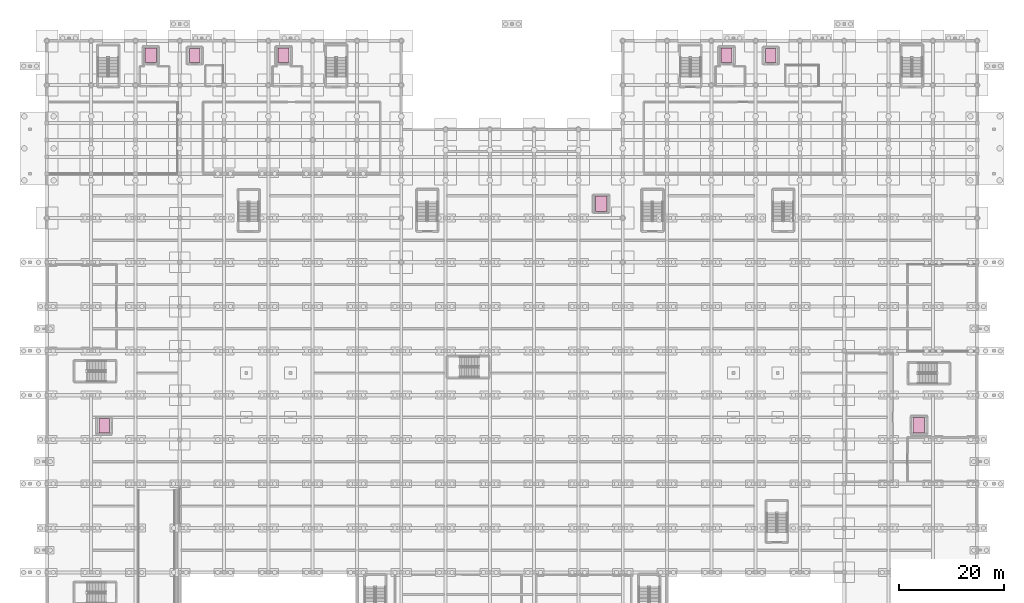
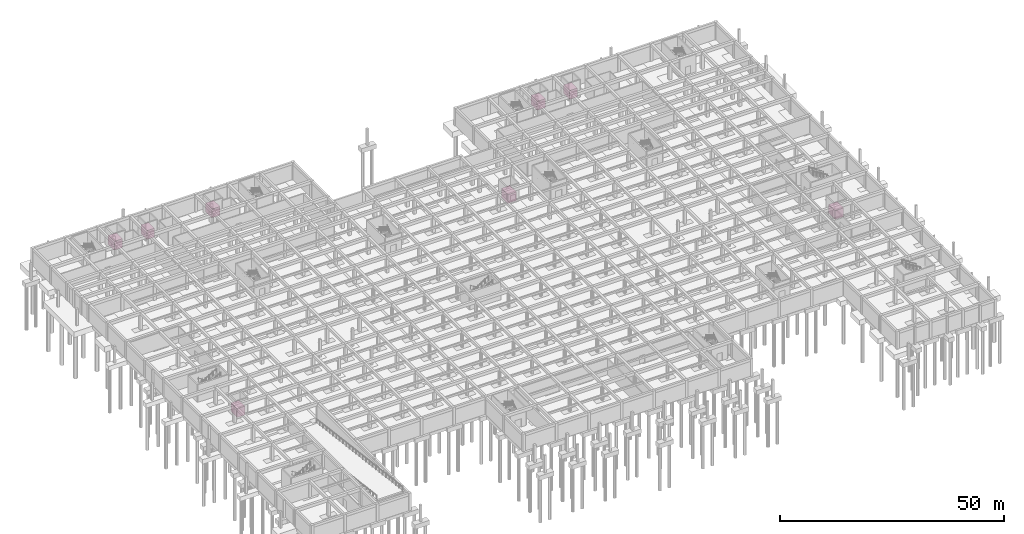
# One storey, part 51 of 51: 8 transport elements.
"""IFC4 building model written with IfcOpenShell, lengths in metres."""

import ifcopenshell
import ifcopenshell.guid

model = None  # the IFC model being written
_history = None  # IfcOwnerHistory: only IFC2X3 demands one
_inside = {}  # id of a spatial element -> (the spatial element, [elements in it])
_under = {}  # id of a project, library or spatial element -> (it, [spatial elements below it])
_declared = {}  # id of a project -> (the project, [libraries it declares])
_typed = {}  # id of a type object -> (the type object, [elements of that type])
_made_of = {}  # id of a material, layer set ... -> (it, [elements and type objects made of it])


def new_model(schema):
    """Start an empty IFC model of exactly this schema.

    Asked for "IFC4X3", IfcOpenShell would pick the latest addendum, in which some entities
    have other attributes; the version numbers below select the first issue.
    IFC2X3 requires an IfcOwnerHistory on every rooted entity: one is made here for all.
    """
    global model, _history
    if schema == "IFC4X3":
        model = ifcopenshell.file(schema_version=(4, 3, 0, 0))
    else:
        model = ifcopenshell.file(schema=schema)
    _inside.clear()
    _under.clear()
    _declared.clear()
    _typed.clear()
    _made_of.clear()
    _history = None
    if model.schema == "IFC2X3":
        org = make("IfcOrganization", Name="unknown")
        user = make(
            "IfcPersonAndOrganization",
            ThePerson=make("IfcPerson", FamilyName="unknown"),
            TheOrganization=org,
        )
        app = make(
            "IfcApplication",
            ApplicationDeveloper=org,
            Version="unknown",
            ApplicationFullName="unknown",
            ApplicationIdentifier="unknown",
        )
        _history = make(
            "IfcOwnerHistory",
            OwningUser=user,
            OwningApplication=app,
            ChangeAction="ADDED",
            CreationDate=0,
        )
    return model


def make(cls, **values):
    """One entity of the class cls with the attributes given. An attribute that is None is left unset."""
    return model.create_entity(
        cls, **{name: value for name, value in values.items() if value is not None}
    )


def rooted(cls, **values):
    """An entity with a GlobalId (a new one), such as an element, a storey or a relation."""
    return make(cls, GlobalId=ifcopenshell.guid.new(), OwnerHistory=_history, **values)


def si_unit(unit_type, name, prefix=None):
    """IfcSIUnit, for example si_unit("LENGTHUNIT", "METRE", prefix="MILLI")."""
    return make("IfcSIUnit", UnitType=unit_type, Prefix=prefix, Name=name)


def assignment(units):
    """IfcUnitAssignment: the units of a project."""
    return None if units is None else make("IfcUnitAssignment", Units=units)


def point(xyz):
    """IfcCartesianPoint."""
    return None if xyz is None else make("IfcCartesianPoint", Coordinates=xyz)


def direction(xyz):
    """IfcDirection."""
    return None if xyz is None else make("IfcDirection", DirectionRatios=xyz)


def frame(location, z_axis=None, x_axis=None):
    """IfcAxis2Placement3D, a coordinate frame: its origin and axes. An axis left out is left unset."""
    return make(
        "IfcAxis2Placement3D",
        Location=point(location),
        Axis=direction(z_axis),
        RefDirection=direction(x_axis),
    )


def frame_2d(location, x_axis=None):
    """IfcAxis2Placement2D, a coordinate frame in the plane: its origin and x axis."""
    return make(
        "IfcAxis2Placement2D", Location=point(location), RefDirection=direction(x_axis)
    )


def origin():
    """The frame at (0, 0, 0) with its axes left unset."""
    return frame((0.0, 0.0, 0.0))


def origin_2d():
    """The frame at (0, 0) in the plane with its x axis left unset."""
    return frame_2d((0.0, 0.0))


def place(relative_to, where):
    """IfcLocalPlacement: puts the frame where relative to a parent placement (None: the world)."""
    return make(
        "IfcLocalPlacement", PlacementRelTo=relative_to, RelativePlacement=where
    )


def context(
    kind, dimensions, precision=None, world=None, true_north=None, identifier=None
):
    """IfcGeometricRepresentationContext, for example the 3D "Model" context."""
    return make(
        "IfcGeometricRepresentationContext",
        ContextIdentifier=identifier,
        ContextType=kind,
        CoordinateSpaceDimension=dimensions,
        Precision=precision,
        WorldCoordinateSystem=world,
        TrueNorth=true_north,
    )


def subcontext(parent, identifier, kind, view, scale=None):
    """IfcGeometricRepresentationSubContext, for example "Body" below "Model"."""
    return make(
        "IfcGeometricRepresentationSubContext",
        ContextIdentifier=identifier,
        ContextType=kind,
        ParentContext=parent,
        TargetScale=scale,
        TargetView=view,
    )


def project(units=None, contexts=None):
    """IfcProject with its units and contexts."""
    return rooted(
        "IfcProject",
        Name="project",
        RepresentationContexts=contexts,
        UnitsInContext=assignment(units),
    )


def spatial(cls, under=None, at=None, **own):
    """A site, building, storey or space (cls), placed at a placement, below another one or the project."""
    s = rooted(cls, ObjectPlacement=at, **own)
    if under is not None:
        _under.setdefault(under.id(), (under, []))[1].append(s)
    return s


def profile(cls, at=None, kind="AREA", **sizes):
    """A parametric profile (cls). Its sizes go by their IFC names, for example OverallWidth=200.0."""
    return make(cls, ProfileType=kind, Position=at, **sizes)


def rectangle(**sizes):
    """IfcRectangleProfileDef."""
    return profile("IfcRectangleProfileDef", **sizes)


def extrude(swept, where, along, depth):
    """IfcExtrudedAreaSolid: the profile swept, set in the frame where, extruded along a direction by depth."""
    return make(
        "IfcExtrudedAreaSolid",
        SweptArea=swept,
        Position=where,
        ExtrudedDirection=direction(along),
        Depth=depth,
    )


def shape(context_of_items, identifier, shape_type, items):
    """IfcShapeRepresentation: the items that make up one representation, for example the "Body"."""
    return make(
        "IfcShapeRepresentation",
        ContextOfItems=context_of_items,
        RepresentationIdentifier=identifier,
        RepresentationType=shape_type,
        Items=items,
    )


def material(Name=None, Category=None):
    """IfcMaterial."""
    return make("IfcMaterial", Name=Name, Category=Category)


def made_of(thing, what):
    """Note that an element or type object is made of a material, layer set ...; save() writes the relation."""
    if what is not None:
        _made_of.setdefault(what.id(), (what, []))[1].append(thing)
    return thing


def type_object(cls, material=None, **own):
    """A type object (cls), such as IfcWallType, which elements share."""
    return made_of(rooted(cls, **own), material)


def element(
    cls,
    number,
    at=None,
    inside=None,
    cuts=None,
    type_object=None,
    material=None,
    context=None,
    identifier="Body",
    shape_type=None,
    held_by="IfcProductDefinitionShape",
    body=None,
    shapes=None,
    **own,
):
    """One element of the class cls, such as IfcWall. Its Tag is "e" and its number.

    at: its placement. inside: the storey or other place that contains it. cuts: it is an
    opening in that element (IfcRelVoidsElement). A single representation is given by context,
    identifier, shape_type and body (its items); several are given by shapes. held_by: the class
    of the entity that holds the representations. save() writes the other relations.
    """
    e = rooted(cls, Tag="e%d" % number, ObjectPlacement=at, **own)
    if body is not None:
        shapes = [shape(context, identifier, shape_type, body)]
    if shapes is not None:
        e.Representation = make(held_by, Representations=shapes)
    if inside is not None:
        _inside.setdefault(inside.id(), (inside, []))[1].append(e)
    if cuts is not None:
        rooted(
            "IfcRelVoidsElement", RelatingBuildingElement=cuts, RelatedOpeningElement=e
        )
    if type_object is not None:
        _typed.setdefault(type_object.id(), (type_object, []))[1].append(e)
    return made_of(e, material)


def aggregate(whole, parts):
    """IfcRelAggregates: a whole, such as a stair, and the parts it consists of."""
    return rooted("IfcRelAggregates", RelatingObject=whole, RelatedObjects=parts)


def save(model, path):
    """Write the relations noted so far, then the file.

    IfcRelAggregates (storeys below a building ...), IfcRelContainedInSpatialStructure (elements
    in a storey), IfcRelDefinesByType, IfcRelAssociatesMaterial and IfcRelDeclares: one each for
    every whole, place, type object, material and project.
    """
    for whole, parts in _under.values():
        aggregate(whole, parts)
    for where, things in _inside.values():
        rooted(
            "IfcRelContainedInSpatialStructure",
            RelatedElements=things,
            RelatingStructure=where,
        )
    for kind, things in _typed.values():
        rooted("IfcRelDefinesByType", RelatedObjects=things, RelatingType=kind)
    for what, things in _made_of.values():
        rooted("IfcRelAssociatesMaterial", RelatedObjects=things, RelatingMaterial=what)
    for by, libraries in _declared.values():
        rooted("IfcRelDeclares", RelatingContext=by, RelatedDefinitions=libraries)
    model.write(path)


model = new_model("IFC4")

# Units and contexts
model_context = context("Model", 3, precision=1e-05, world=origin(), true_north=direction((0.0, 1.0)))
body_context = subcontext(model_context, "Body", "Model", "MODEL_VIEW")
ifc_project = project(units=[si_unit("LENGTHUNIT", "METRE"), si_unit("AREAUNIT", "SQUARE_METRE"), si_unit("VOLUMEUNIT", "CUBIC_METRE"), si_unit("PLANEANGLEUNIT", "RADIAN"), si_unit("MASSUNIT", "GRAM", prefix="KILO")], contexts=[model_context])

# Site, building, storey
site_placement = place(None, origin())
site = spatial("IfcSite", under=ifc_project, at=site_placement, CompositionType="ELEMENT")
building_placement = place(site_placement, origin())
building = spatial("IfcBuilding", under=site, at=building_placement, Name="Varncliffe General Hospital", CompositionType="ELEMENT")
storey_placement = place(building_placement, frame((0.0, 0.0, -4.800048828125)))
storey = spatial("IfcBuildingStorey", under=building, at=storey_placement, Name="B1", CompositionType="ELEMENT", Elevation=-4.800048828125)

# Transport elements
ifc_material = material(Name="Brushed stainless-steel hospital stretcher elevator car", Category="steel")
transport_element_type_1 = type_object("IfcTransportElementType", Name="Hospital Elevator Type 2000x2700", PredefinedType="ELEVATOR", material=ifc_material)
for number, where, z_axis, x_axis, name in (
    (1, (28.050048828125, 122.0, 0.0), (0.0, 0.0, 1.0), (1.0, 0.0, 0.0), "Inpatient Bed Passenger Elevator LF04"),
    (2, (137.25, 122.0, 0.0), (0.0, 0.0, 1.0), (1.0, 0.0, 0.0), "Inpatient Bed Passenger Elevator LF05"),
    (3, (10.85009765625, 51.800048828125, 0.0), (0.0, 0.0, 1.0), (1.0, 0.0, 0.0), "Diagnostic Bed Passenger Elevator LF06"),
):
    element("IfcTransportElement", number, at=place(storey_placement, frame(where, z_axis=z_axis, x_axis=x_axis)), inside=storey, type_object=transport_element_type_1, Name=name, PredefinedType="ELEVATOR", context=body_context, shape_type="SweptSolid", body=[
        extrude(rectangle(XDim=2.0, YDim=2.699951171875, at=origin_2d()), origin(), (0.0, 0.0, 1.0), 2.39990234375),
    ])
transport_element_type_2 = type_object("IfcTransportElementType", Name="Hospital Elevator Type 2100x2800", PredefinedType="ELEVATOR", material=ifc_material)
for number, where, z_axis, x_axis, name in (
    (4, (19.699951171875, 122.050048828125, 0.0), (0.0, 0.0, 1.0), (1.0, 0.0, 0.0), "Firefighter Trauma Elevator LF01"),
    (5, (44.89990234375, 122.050048828125, 0.0), (0.0, 0.0, 1.0), (1.0, 0.0, 0.0), "Firefighter Trauma Elevator LF02"),
    (6, (128.89990234375, 122.050048828125, 0.0), (0.0, 0.0, 1.0), (1.0, 0.0, 0.0), "Firefighter Trauma Elevator LF03"),
):
    element("IfcTransportElement", number, at=place(storey_placement, frame(where, z_axis=z_axis, x_axis=x_axis)), inside=storey, type_object=transport_element_type_2, Name=name, PredefinedType="ELEVATOR", context=body_context, shape_type="SweptSolid", body=[
        extrude(rectangle(XDim=2.10009765625, YDim=2.800048828125, at=origin_2d()), origin(), (0.0, 0.0, 1.0), 2.39990234375),
    ])
transport_element_type_3 = type_object("IfcTransportElementType", Name="Hospital Elevator Type 2200x2900", PredefinedType="ELEVATOR", material=ifc_material)
for number, where, z_axis, x_axis, name in (
    (7, (105.10009765625, 93.89990234375, 0.0), (0.0, 0.0, 1.0), (1.0, 0.0, 0.0), "Surgical Sterile and Helipad Service Elevator LF07"),
    (8, (165.35009765625, 51.89990234375, 0.0), (0.0, 0.0, 1.0), (1.0, 0.0, 0.0), "Outpatient and Oncology Service Elevator LF08"),
):
    element("IfcTransportElement", number, at=place(storey_placement, frame(where, z_axis=z_axis, x_axis=x_axis)), inside=storey, type_object=transport_element_type_3, Name=name, PredefinedType="ELEVATOR", context=body_context, shape_type="SweptSolid", body=[
        extrude(rectangle(XDim=2.199951171875, YDim=2.89990234375, at=origin_2d()), origin(), (0.0, 0.0, 1.0), 2.39990234375),
    ])

save(model, "model.ifc")
